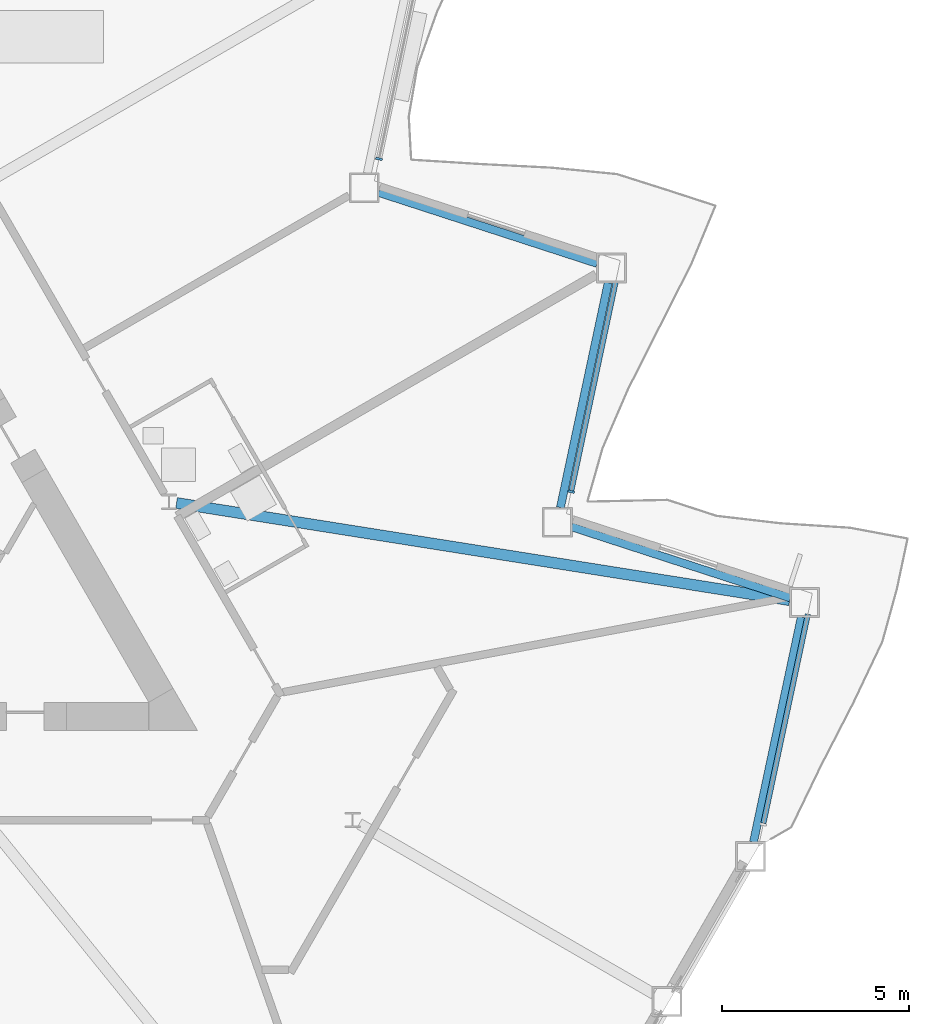
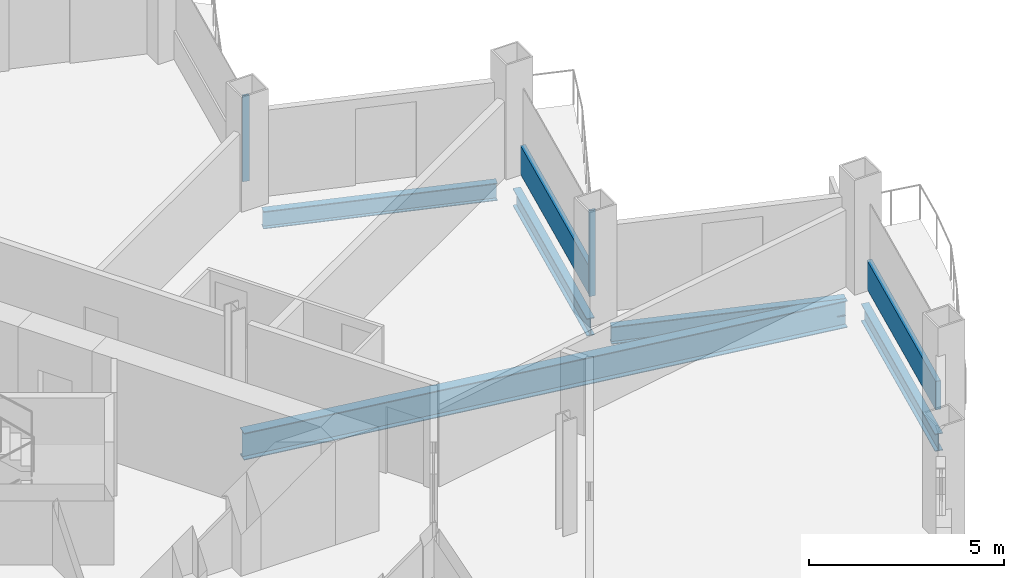
# One storey, part 6 of 22: 5 beams, 4 members, 3 elements without a shape of their own.
"""IFC4 building model written with IfcOpenShell, lengths in metres."""

from ifc_helpers import new_model, si_unit, direction, frame, origin, origin_2d, place, context, subcontext, project, spatial, rectangle, i_section, extrude, material, layer, layer_set, material_profile, profile_set, type_object, element, aggregate, save


model = new_model("IFC4")

# Units and contexts
model_context = context("Model", 3, precision=1e-05, world=origin(), true_north=direction((0.0, 1.0)))
body_context = subcontext(model_context, "Body", "Model", "MODEL_VIEW")
ifc_project = project(units=[si_unit("LENGTHUNIT", "METRE"), si_unit("AREAUNIT", "SQUARE_METRE"), si_unit("VOLUMEUNIT", "CUBIC_METRE"), si_unit("PLANEANGLEUNIT", "RADIAN"), si_unit("MASSUNIT", "GRAM", prefix="KILO")], contexts=[model_context])

# Site, building, storey
site_placement = place(None, origin())
site = spatial("IfcSite", under=ifc_project, at=site_placement, CompositionType="ELEMENT")
building_placement = place(site_placement, origin())
building = spatial("IfcBuilding", under=site, at=building_placement, Name="Cormorant Prow Tower", CompositionType="ELEMENT")
storey_placement = place(building_placement, frame((0.0, 0.0, 198.0)))
storey = spatial("IfcBuildingStorey", under=building, at=storey_placement, Name="L43", CompositionType="ELEMENT", Elevation=198.0)

# Curtain wall, member
ifc_material_1 = material(Name="Aluminium 6063-T6", Category="aluminium")
ifc_layer = layer(ifc_material_1, 0.179931640625)
ifc_layer_set = layer_set([ifc_layer], Name="Aluminium 6063-T6")
curtain_wall_type = type_object("IfcCurtainWallType", Name="Hotel unitised curtain wall 180", PredefinedType="NOTDEFINED", material=ifc_layer_set)
curtain_wall_1_placement = place(storey_placement, origin())
curtain_wall_1 = element("IfcCurtainWall", 1, at=curtain_wall_1_placement, inside=storey, type_object=curtain_wall_type, Name="Hotel curtain wall ENE02", PredefinedType="NOTDEFINED")
ifc_material_2 = material(Name="Aluminium 6063-T6", Category="aluminium")
ifc_material_profile_1 = material_profile(ifc_material_2, rectangle(XDim=0.179931640625, YDim=0.06005859375, at=origin_2d()), Name="Hotel mullion 60x180")
ifc_profile_set_1 = profile_set([ifc_material_profile_1], Name="Aluminium 6063-T6")
member_type_1 = type_object("IfcMemberType", Name="Hotel mullion 60x180", PredefinedType="MULLION", material=ifc_profile_set_1)
member_1_placement = place(storey_placement, frame((25.498046875, -2.56591796875, 0.0), z_axis=(0.0, 0.0, 1.0), x_axis=(-0.978147607432, 0.207911659303, 0.0)))
member_1 = element("IfcMember", 2, at=member_1_placement, type_object=member_type_1, Name="Hotel mullion ENE02", PredefinedType="MULLION", context=body_context, shape_type="SweptSolid", body=[
    extrude(rectangle(XDim=0.179931640625, YDim=0.06005859375, at=origin_2d()), origin(), (0.0, 0.0, 1.0), 2.700927734375),
])

curtain_wall_2_placement = place(storey_placement, origin())
curtain_wall_2 = element("IfcCurtainWall", 3, at=curtain_wall_2_placement, inside=storey, type_object=curtain_wall_type, Name="Hotel curtain wall ENE04", PredefinedType="NOTDEFINED")
member_2_placement = place(storey_placement, frame((20.359619140625, 6.334228515625, 0.0), z_axis=(0.0, 0.0, 1.0), x_axis=(-0.978147613681, 0.207911629905, 0.0)))
member_2 = element("IfcMember", 4, at=member_2_placement, type_object=member_type_1, Name="Hotel mullion ENE04", PredefinedType="MULLION", context=body_context, shape_type="SweptSolid", body=[
    extrude(rectangle(XDim=0.179931640625, YDim=0.06005859375, at=origin_2d()), origin(), (0.0, 0.0, 1.0), 2.700927734375),
])
aggregate(curtain_wall_2, [member_2])

curtain_wall_3_placement = place(storey_placement, origin())
curtain_wall_3 = element("IfcCurtainWall", 5, at=curtain_wall_3_placement, inside=storey, type_object=curtain_wall_type, Name="Hotel curtain wall ENE00", PredefinedType="NOTDEFINED")
ifc_material_3 = material(Name="Terracotta", Category="masonry")
ifc_material_profile_2 = material_profile(ifc_material_3, rectangle(XDim=0.139892578125, YDim=0.89990234375, at=origin_2d()), Name="Hotel terracotta spandrel rail 140x900")
ifc_profile_set_2 = profile_set([ifc_material_profile_2], Name="Terracotta")
member_type_2 = type_object("IfcMemberType", Name="Hotel terracotta spandrel rail 140x900", PredefinedType="USERDEFINED", material=ifc_profile_set_2)
member_3_placement = place(storey_placement, frame((30.642822265625, -11.436767578125, 0.449951171875), z_axis=(0.207907772001, 0.978148433696, 0.0), x_axis=(-0.978148433696, 0.207907772001, 0.0)))
member_3 = element("IfcMember", 6, at=member_3_placement, type_object=member_type_2, Name="Hotel spandrel rail ENE00", ObjectType="TRANSOM", PredefinedType="USERDEFINED", context=body_context, shape_type="SweptSolid", body=[
    extrude(rectangle(XDim=0.139892578125, YDim=0.89990234375, at=origin_2d()), origin(), (0.0, 0.0, 1.0), 5.71875),
])
aggregate(curtain_wall_3, [member_3])

# Member
member_4_placement = place(storey_placement, frame((25.50439453125, -2.53662109375, 0.449951171875), z_axis=(0.207907772001, 0.978148433696, 0.0), x_axis=(-0.978148433696, 0.207907772001, 0.0)))
member_4 = element("IfcMember", 7, at=member_4_placement, type_object=member_type_2, Name="Hotel spandrel rail ENE02", ObjectType="TRANSOM", PredefinedType="USERDEFINED", context=body_context, shape_type="SweptSolid", body=[
    extrude(rectangle(XDim=0.139892578125, YDim=0.89990234375, at=origin_2d()), origin(), (0.0, 0.0, 1.0), 5.71875),
])

aggregate(curtain_wall_1, [member_1, member_4])

# Beams
ifc_material_4 = material(Name="Structural steel ASTM A992 Gr 50", Category="steel")
ifc_material_profile_3 = material_profile(ifc_material_4, i_section(OverallWidth=0.29296875, OverallDepth=0.845703125, WebThickness=0.015380859375, FlangeThickness=0.0244140625, at=origin_2d()), Name="W33x141")
ifc_profile_set_3 = profile_set([ifc_material_profile_3], Name="Structural steel ASTM A992 Gr 50")
beam_type_1 = type_object("IfcBeamType", Name="Radial floor beam W33x141", PredefinedType="BEAM", material=ifc_profile_set_3)
beam_1_placement = place(storey_placement, frame((14.94384765625, -2.869140625, -0.77294921875), z_axis=(0.987678058302, -0.156499371084, 0.0), x_axis=(0.156499371084, 0.987678058302, 0.0)))
element("IfcBeam", 8, at=beam_1_placement, inside=storey, type_object=beam_type_1, Name="Radial floor beam FB2 10 L43", PredefinedType="BEAM", context=body_context, shape_type="SweptSolid", body=[
    extrude(i_section(OverallWidth=0.29296875, OverallDepth=0.845703125, WebThickness=0.015380859375, FlangeThickness=0.0244140625, at=origin_2d()), origin(), (0.0, 0.0, 1.0), 16.604736328125),
])
ifc_material_5 = material(Name="Structural steel ASTM A992 Gr 50", Category="steel")
ifc_material_profile_4 = material_profile(ifc_material_5, i_section(OverallWidth=0.2138671875, OverallDepth=0.549072265625, WebThickness=0.0146484375, FlangeThickness=0.023681640625, at=origin_2d()), Name="W21x93")
ifc_profile_set_4 = profile_set([ifc_material_profile_4], Name="Structural steel ASTM A992 Gr 50")
beam_type_2 = type_object("IfcBeamType", Name="Spandrel beam W21x93", PredefinedType="SPANDREL", material=ifc_profile_set_4)
beam_2_placement = place(storey_placement, frame((30.377197265625, -11.93701171875, -0.62451171875), z_axis=(0.207904811195, 0.978149063018, 0.0), x_axis=(-0.978149063018, 0.207904811195, 0.0)))
element("IfcBeam", 9, at=beam_2_placement, inside=storey, type_object=beam_type_2, Name="Spandrel beam SB2 ENE00-ENE01 L43", PredefinedType="SPANDREL", context=body_context, shape_type="SweptSolid", body=[
    extrude(i_section(OverallWidth=0.2138671875, OverallDepth=0.549072265625, WebThickness=0.0146484375, FlangeThickness=0.023681640625, at=origin_2d()), origin(), (0.0, 0.0, 1.0), 6.149658203125),
])
beam_3_placement = place(storey_placement, frame((31.358642578125, -5.40673828125, -0.62451171875), z_axis=(-0.951057696564, 0.309013361859, 0.0), x_axis=(-0.309013361859, -0.951057696564, 0.0)))
element("IfcBeam", 10, at=beam_3_placement, inside=storey, type_object=beam_type_2, Name="Spandrel beam SB2 ENE01-ENE02 L43", PredefinedType="SPANDREL", context=body_context, shape_type="SweptSolid", body=[
    extrude(i_section(OverallWidth=0.2138671875, OverallDepth=0.549072265625, WebThickness=0.0146484375, FlangeThickness=0.023681640625, at=origin_2d()), origin(), (0.0, 0.0, 1.0), 6.14990234375),
])
beam_4_placement = place(storey_placement, frame((25.21240234375, -2.991455078125, -0.62451171875), z_axis=(0.207904811195, 0.978149063018, 0.0), x_axis=(-0.978149063018, 0.207904811195, 0.0)))
element("IfcBeam", 11, at=beam_4_placement, inside=storey, type_object=beam_type_2, Name="Spandrel beam SB2 ENE02-ENE03 L43", PredefinedType="SPANDREL", context=body_context, shape_type="SweptSolid", body=[
    extrude(i_section(OverallWidth=0.2138671875, OverallDepth=0.549072265625, WebThickness=0.0146484375, FlangeThickness=0.023681640625, at=origin_2d()), origin(), (0.0, 0.0, 1.0), 6.149658203125),
])
beam_5_placement = place(storey_placement, frame((26.19384765625, 3.538818359375, -0.62451171875), z_axis=(-0.951057696564, 0.309013361859, 0.0), x_axis=(-0.309013361859, -0.951057696564, 0.0)))
element("IfcBeam", 12, at=beam_5_placement, inside=storey, type_object=beam_type_2, Name="Spandrel beam SB2 ENE03-ENE04 L43", PredefinedType="SPANDREL", context=body_context, shape_type="SweptSolid", body=[
    extrude(i_section(OverallWidth=0.2138671875, OverallDepth=0.549072265625, WebThickness=0.0146484375, FlangeThickness=0.023681640625, at=origin_2d()), origin(), (0.0, 0.0, 1.0), 6.14990234375),
])

save(model, "model.ifc")
